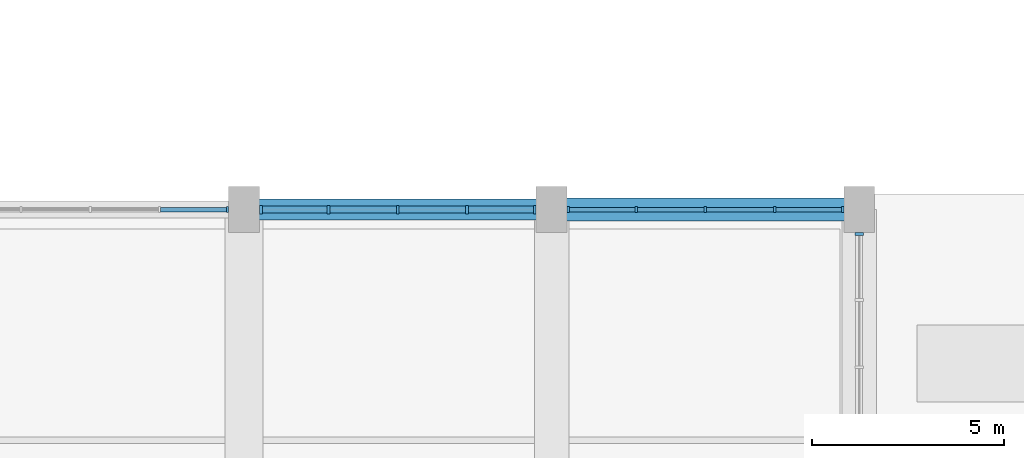
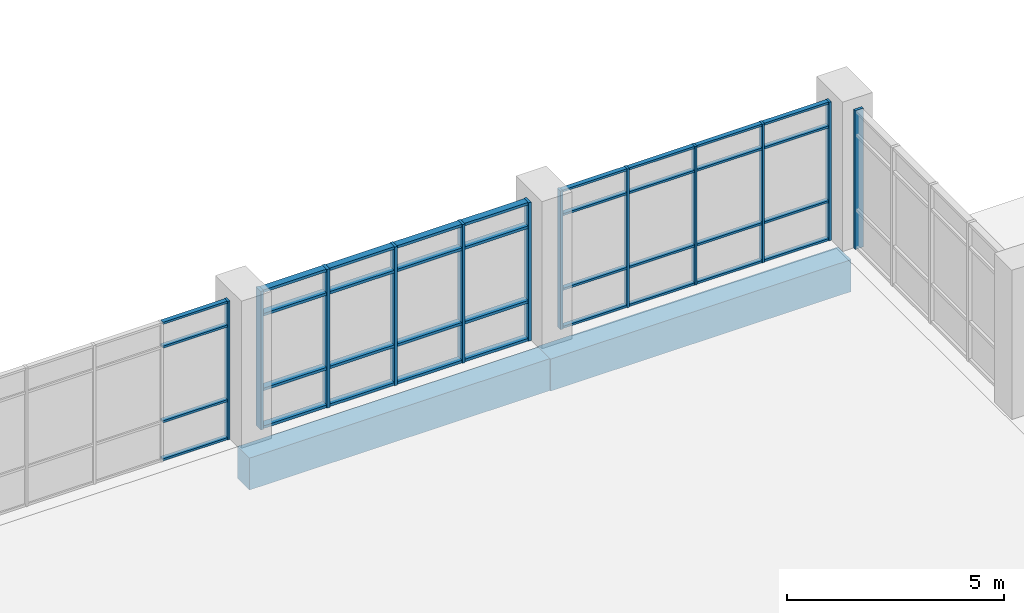
# One storey, part 14 of 84: 48 members, 2 beams, 4 elements without a shape of their own.
"""IFC4 building model written with IfcOpenShell, lengths in metres."""

from ifc_helpers import new_model, si_unit, direction, frame, origin, origin_2d, place, context, subcontext, project, spatial, rectangle, extrude, material, material_profile, profile_set, type_object, element, aggregate, save


model = new_model("IFC4")

# Units and contexts
model_context = context("Model", 3, precision=1e-05, world=origin(), true_north=direction((0.0, 1.0)))
body_context = subcontext(model_context, "Body", "Model", "MODEL_VIEW")
ifc_project = project(units=[si_unit("LENGTHUNIT", "METRE"), si_unit("AREAUNIT", "SQUARE_METRE"), si_unit("VOLUMEUNIT", "CUBIC_METRE"), si_unit("PLANEANGLEUNIT", "RADIAN"), si_unit("MASSUNIT", "GRAM", prefix="KILO")], contexts=[model_context])

# Site, building, storey
site_placement = place(None, origin())
site = spatial("IfcSite", under=ifc_project, at=site_placement, CompositionType="ELEMENT")
building_placement = place(site_placement, origin())
building = spatial("IfcBuilding", under=site, at=building_placement, Name="Tenunan Teduh Sports Hall", CompositionType="ELEMENT")
storey_placement = place(building_placement, frame((0.0, 0.0, 10.800048828125)))
storey = spatial("IfcBuildingStorey", under=building, at=storey_placement, Name="L02", CompositionType="ELEMENT", Elevation=10.800048828125)

# Beams
ifc_material_1 = material(Name="Concrete C40/50", Category="concrete")
ifc_material_profile_1 = material_profile(ifc_material_1, rectangle(XDim=0.550048828125, YDim=0.89990234375, at=origin_2d()), Name="RCB 550x900")
ifc_profile_set_1 = profile_set([ifc_material_profile_1], Name="Concrete C40/50")
beam_type_1 = type_object("IfcBeamType", Name="BM-RC-550x900", PredefinedType="BEAM", material=ifc_profile_set_1)
beam_1_placement = place(storey_placement, frame((38.0, 46.0, -1.0), z_axis=(1.0, 0.0, 0.0), x_axis=(0.0, 1.0, 0.0)))
element("IfcBeam", 1, at=beam_1_placement, inside=storey, type_object=beam_type_1, Name="BM-B-16-L02-1468", PredefinedType="BEAM", context=body_context, shape_type="SweptSolid", body=[
    extrude(rectangle(XDim=0.550048828125, YDim=0.89990234375, at=origin_2d()), origin(), (0.0, 0.0, 1.0), 8.0),
])
ifc_material_2 = material(Name="Concrete C40/50", Category="concrete")
ifc_material_profile_2 = material_profile(ifc_material_2, rectangle(XDim=0.60009765625, YDim=0.89990234375, at=origin_2d()), Name="RCB 600x900")
ifc_profile_set_2 = profile_set([ifc_material_profile_2], Name="Concrete C40/50")
beam_type_2 = type_object("IfcBeamType", Name="BM-RC-600x900", PredefinedType="BEAM", material=ifc_profile_set_2)
beam_2_placement = place(storey_placement, frame((46.0, 46.0, -1.0), z_axis=(1.0, 0.0, 0.0), x_axis=(0.0, 1.0, 0.0)))
element("IfcBeam", 2, at=beam_2_placement, inside=storey, type_object=beam_type_2, Name="BM-B-17-L02-1469", PredefinedType="BEAM", context=body_context, shape_type="SweptSolid", body=[
    extrude(rectangle(XDim=0.60009765625, YDim=0.89990234375, at=origin_2d()), origin(), (0.0, 0.0, 1.0), 8.0),
])

# Curtain wall, member
ifc_material_3 = material(Name="Anodised aluminium", Category="aluminium")
curtain_wall_type = type_object("IfcCurtainWallType", Name="CW-UNIT-2", PredefinedType="NOTDEFINED", material=ifc_material_3)
curtain_wall_1_placement = place(storey_placement, origin())
curtain_wall_1 = element("IfcCurtainWall", 3, at=curtain_wall_1_placement, inside=storey, type_object=curtain_wall_type, Name="CW-CWM-150-L02-063", PredefinedType="NOTDEFINED")
ifc_material_4 = material(Name="Anodised aluminium", Category="aluminium")
ifc_material_profile_3 = material_profile(ifc_material_4, rectangle(XDim=0.06005859375, YDim=0.14990234375, at=origin_2d()), Name="CWM 60x150")
ifc_profile_set_3 = profile_set([ifc_material_profile_3], Name="Anodised aluminium")
member_type_1 = type_object("IfcMemberType", Name="CWM-150", PredefinedType="MULLION", material=ifc_profile_set_3)
member_1_placement = place(storey_placement, frame((37.570068359375, 46.0, 0.0), z_axis=(0.0, 0.0, 1.0), x_axis=(1.0, 0.0, 0.0)))
member_1 = element("IfcMember", 4, at=member_1_placement, type_object=member_type_1, Name="CW-02 mullion 5", PredefinedType="MULLION", context=body_context, shape_type="SweptSolid", body=[
    extrude(rectangle(XDim=0.06005859375, YDim=0.14990234375, at=origin_2d()), origin(), (0.0, 0.0, 1.0), 3.89990234375),
])

# Curtain wall, members
curtain_wall_2_placement = place(storey_placement, origin())
curtain_wall_2 = element("IfcCurtainWall", 5, at=curtain_wall_2_placement, inside=storey, type_object=curtain_wall_type, Name="CW-CWM-150-L02-067", PredefinedType="NOTDEFINED")
member_2_placement = place(storey_placement, frame((46.429931640625, 46.0, 0.0), z_axis=(0.0, 0.0, 1.0), x_axis=(1.0, 0.0, 0.0)))
member_2 = element("IfcMember", 6, at=member_2_placement, type_object=member_type_1, Name="CW-02 mullion 1", PredefinedType="MULLION", context=body_context, shape_type="SweptSolid", body=[
    extrude(rectangle(XDim=0.06005859375, YDim=0.14990234375, at=origin_2d()), origin(), (0.0, 0.0, 1.0), 3.89990234375),
])
member_3_placement = place(storey_placement, frame((48.199951171875, 46.0, 0.0), z_axis=(0.0, 0.0, 1.0), x_axis=(1.0, 0.0, 0.0)))
member_3 = element("IfcMember", 7, at=member_3_placement, type_object=member_type_1, Name="CW-02 mullion 2", PredefinedType="MULLION", context=body_context, shape_type="SweptSolid", body=[
    extrude(rectangle(XDim=0.06005859375, YDim=0.14990234375, at=origin_2d()), origin(), (0.0, 0.0, 1.0), 3.89990234375),
])
member_4_placement = place(storey_placement, frame((50.0, 46.0, 0.0), z_axis=(0.0, 0.0, 1.0), x_axis=(1.0, 0.0, 0.0)))
member_4 = element("IfcMember", 8, at=member_4_placement, type_object=member_type_1, Name="CW-02 mullion 3", PredefinedType="MULLION", context=body_context, shape_type="SweptSolid", body=[
    extrude(rectangle(XDim=0.06005859375, YDim=0.14990234375, at=origin_2d()), origin(), (0.0, 0.0, 1.0), 3.89990234375),
])
member_5_placement = place(storey_placement, frame((51.800048828125, 46.0, 0.0), z_axis=(0.0, 0.0, 1.0), x_axis=(1.0, 0.0, 0.0)))
member_5 = element("IfcMember", 9, at=member_5_placement, type_object=member_type_1, Name="CW-02 mullion 4", PredefinedType="MULLION", context=body_context, shape_type="SweptSolid", body=[
    extrude(rectangle(XDim=0.06005859375, YDim=0.14990234375, at=origin_2d()), origin(), (0.0, 0.0, 1.0), 3.89990234375),
])
member_6_placement = place(storey_placement, frame((53.570068359375, 46.0, 0.0), z_axis=(0.0, 0.0, 1.0), x_axis=(1.0, 0.0, 0.0)))
member_6 = element("IfcMember", 10, at=member_6_placement, type_object=member_type_1, Name="CW-02 mullion 5", PredefinedType="MULLION", context=body_context, shape_type="SweptSolid", body=[
    extrude(rectangle(XDim=0.06005859375, YDim=0.14990234375, at=origin_2d()), origin(), (0.0, 0.0, 1.0), 3.89990234375),
])

curtain_wall_3_placement = place(storey_placement, origin())
curtain_wall_3 = element("IfcCurtainWall", 11, at=curtain_wall_3_placement, inside=storey, type_object=curtain_wall_type, Name="CW-CWM-220-L02-065", PredefinedType="NOTDEFINED")
ifc_material_5 = material(Name="Anodised aluminium", Category="aluminium")
ifc_material_profile_4 = material_profile(ifc_material_5, rectangle(XDim=0.074951171875, YDim=0.219970703125, at=origin_2d()), Name="CWM 75x220")
ifc_profile_set_4 = profile_set([ifc_material_profile_4], Name="Anodised aluminium")
member_type_2 = type_object("IfcMemberType", Name="CWM-220", PredefinedType="MULLION", material=ifc_profile_set_4)
member_7_placement = place(storey_placement, frame((38.4375, 46.0, 0.0), z_axis=(0.0, 0.0, 1.0), x_axis=(1.0, 0.0, 0.0)))
member_7 = element("IfcMember", 12, at=member_7_placement, type_object=member_type_2, Name="CW-02 mullion 1", PredefinedType="MULLION", context=body_context, shape_type="SweptSolid", body=[
    extrude(rectangle(XDim=0.074951171875, YDim=0.219970703125, at=origin_2d()), origin(), (0.0, 0.0, 1.0), 3.89990234375),
])
member_8_placement = place(storey_placement, frame((40.199951171875, 46.0, 0.0), z_axis=(0.0, 0.0, 1.0), x_axis=(1.0, 0.0, 0.0)))
member_8 = element("IfcMember", 13, at=member_8_placement, type_object=member_type_2, Name="CW-02 mullion 2", PredefinedType="MULLION", context=body_context, shape_type="SweptSolid", body=[
    extrude(rectangle(XDim=0.074951171875, YDim=0.219970703125, at=origin_2d()), origin(), (0.0, 0.0, 1.0), 3.89990234375),
])
member_9_placement = place(storey_placement, frame((42.0, 46.0, 0.0), z_axis=(0.0, 0.0, 1.0), x_axis=(1.0, 0.0, 0.0)))
member_9 = element("IfcMember", 14, at=member_9_placement, type_object=member_type_2, Name="CW-02 mullion 3", PredefinedType="MULLION", context=body_context, shape_type="SweptSolid", body=[
    extrude(rectangle(XDim=0.074951171875, YDim=0.219970703125, at=origin_2d()), origin(), (0.0, 0.0, 1.0), 3.89990234375),
])
member_10_placement = place(storey_placement, frame((43.800048828125, 46.0, 0.0), z_axis=(0.0, 0.0, 1.0), x_axis=(1.0, 0.0, 0.0)))
member_10 = element("IfcMember", 15, at=member_10_placement, type_object=member_type_2, Name="CW-02 mullion 4", PredefinedType="MULLION", context=body_context, shape_type="SweptSolid", body=[
    extrude(rectangle(XDim=0.074951171875, YDim=0.219970703125, at=origin_2d()), origin(), (0.0, 0.0, 1.0), 3.89990234375),
])
member_11_placement = place(storey_placement, frame((45.5625, 46.0, 0.0), z_axis=(0.0, 0.0, 1.0), x_axis=(1.0, 0.0, 0.0)))
member_11 = element("IfcMember", 16, at=member_11_placement, type_object=member_type_2, Name="CW-02 mullion 5", PredefinedType="MULLION", context=body_context, shape_type="SweptSolid", body=[
    extrude(rectangle(XDim=0.074951171875, YDim=0.219970703125, at=origin_2d()), origin(), (0.0, 0.0, 1.0), 3.89990234375),
])

# Curtain wall, member
curtain_wall_4_placement = place(storey_placement, origin())
curtain_wall_4 = element("IfcCurtainWall", 17, at=curtain_wall_4_placement, inside=storey, type_object=curtain_wall_type, Name="CW-CWM-220-L02-073", PredefinedType="NOTDEFINED")
member_12_placement = place(storey_placement, frame((54.0, 45.362548828125, 0.0), z_axis=(0.0, 0.0, 1.0), x_axis=(0.0, 1.0, 0.0)))
member_12 = element("IfcMember", 18, at=member_12_placement, type_object=member_type_2, Name="CW-02 mullion 5", PredefinedType="MULLION", context=body_context, shape_type="SweptSolid", body=[
    extrude(rectangle(XDim=0.074951171875, YDim=0.219970703125, at=origin_2d()), origin(), (0.0, 0.0, 1.0), 3.89990234375),
])
aggregate(curtain_wall_4, [member_12])

# Member
ifc_material_6 = material(Name="Anodised aluminium", Category="aluminium")
ifc_material_profile_5 = material_profile(ifc_material_6, rectangle(XDim=0.06005859375, YDim=0.1201171875, at=origin_2d()), Name="CWT 60x120")
ifc_profile_set_5 = profile_set([ifc_material_profile_5], Name="Anodised aluminium")
member_type_3 = type_object("IfcMemberType", Name="CWT-125", PredefinedType="USERDEFINED", material=ifc_profile_set_5)
member_13_placement = place(storey_placement, frame((35.830078125, 46.0, 0.030029296875), z_axis=(1.0, 0.0, 0.0), x_axis=(0.0, 0.0, 1.0)))
member_13 = element("IfcMember", 19, at=member_13_placement, type_object=member_type_3, Name="CW-02 transom 4.1", ObjectType="TRANSOM", PredefinedType="USERDEFINED", context=body_context, shape_type="SweptSolid", body=[
    extrude(rectangle(XDim=0.06005859375, YDim=0.1201171875, at=origin_2d()), origin(), (0.0, 0.0, 1.0), 1.7099609375),
])

member_14_placement = place(storey_placement, frame((35.830078125, 46.0, 1.099853515625), z_axis=(1.0, 0.0, 0.0), x_axis=(0.0, 0.0, 1.0)))
member_14 = element("IfcMember", 20, at=member_14_placement, type_object=member_type_3, Name="CW-02 transom 4.2", ObjectType="TRANSOM", PredefinedType="USERDEFINED", context=body_context, shape_type="SweptSolid", body=[
    extrude(rectangle(XDim=0.06005859375, YDim=0.1201171875, at=origin_2d()), origin(), (0.0, 0.0, 1.0), 1.7099609375),
])

member_15_placement = place(storey_placement, frame((35.830078125, 46.0, 3.199951171875), z_axis=(1.0, 0.0, 0.0), x_axis=(0.0, 0.0, 1.0)))
member_15 = element("IfcMember", 21, at=member_15_placement, type_object=member_type_3, Name="CW-02 transom 4.3", ObjectType="TRANSOM", PredefinedType="USERDEFINED", context=body_context, shape_type="SweptSolid", body=[
    extrude(rectangle(XDim=0.06005859375, YDim=0.1201171875, at=origin_2d()), origin(), (0.0, 0.0, 1.0), 1.7099609375),
])

member_16_placement = place(storey_placement, frame((35.830078125, 46.0, 3.869873046875), z_axis=(1.0, 0.0, 0.0), x_axis=(0.0, 0.0, 1.0)))
member_16 = element("IfcMember", 22, at=member_16_placement, type_object=member_type_3, Name="CW-02 transom 4.4", ObjectType="TRANSOM", PredefinedType="USERDEFINED", context=body_context, shape_type="SweptSolid", body=[
    extrude(rectangle(XDim=0.06005859375, YDim=0.1201171875, at=origin_2d()), origin(), (0.0, 0.0, 1.0), 1.7099609375),
])

aggregate(curtain_wall_1, [member_1, member_13, member_14, member_15, member_16])

member_17_placement = place(storey_placement, frame((46.4599609375, 46.0, 0.030029296875), z_axis=(1.0, 0.0, 0.0), x_axis=(0.0, 0.0, 1.0)))
member_17 = element("IfcMember", 23, at=member_17_placement, type_object=member_type_3, Name="CW-02 transom 1.1", ObjectType="TRANSOM", PredefinedType="USERDEFINED", context=body_context, shape_type="SweptSolid", body=[
    extrude(rectangle(XDim=0.06005859375, YDim=0.1201171875, at=origin_2d()), origin(), (0.0, 0.0, 1.0), 1.7099609375),
])

member_18_placement = place(storey_placement, frame((46.4599609375, 46.0, 1.099853515625), z_axis=(1.0, 0.0, 0.0), x_axis=(0.0, 0.0, 1.0)))
member_18 = element("IfcMember", 24, at=member_18_placement, type_object=member_type_3, Name="CW-02 transom 1.2", ObjectType="TRANSOM", PredefinedType="USERDEFINED", context=body_context, shape_type="SweptSolid", body=[
    extrude(rectangle(XDim=0.06005859375, YDim=0.1201171875, at=origin_2d()), origin(), (0.0, 0.0, 1.0), 1.7099609375),
])

member_19_placement = place(storey_placement, frame((46.4599609375, 46.0, 3.199951171875), z_axis=(1.0, 0.0, 0.0), x_axis=(0.0, 0.0, 1.0)))
member_19 = element("IfcMember", 25, at=member_19_placement, type_object=member_type_3, Name="CW-02 transom 1.3", ObjectType="TRANSOM", PredefinedType="USERDEFINED", context=body_context, shape_type="SweptSolid", body=[
    extrude(rectangle(XDim=0.06005859375, YDim=0.1201171875, at=origin_2d()), origin(), (0.0, 0.0, 1.0), 1.7099609375),
])

member_20_placement = place(storey_placement, frame((46.4599609375, 46.0, 3.869873046875), z_axis=(1.0, 0.0, 0.0), x_axis=(0.0, 0.0, 1.0)))
member_20 = element("IfcMember", 26, at=member_20_placement, type_object=member_type_3, Name="CW-02 transom 1.4", ObjectType="TRANSOM", PredefinedType="USERDEFINED", context=body_context, shape_type="SweptSolid", body=[
    extrude(rectangle(XDim=0.06005859375, YDim=0.1201171875, at=origin_2d()), origin(), (0.0, 0.0, 1.0), 1.7099609375),
])

member_21_placement = place(storey_placement, frame((48.22998046875, 46.0, 0.030029296875), z_axis=(1.0, 0.0, 0.0), x_axis=(0.0, 0.0, 1.0)))
member_21 = element("IfcMember", 27, at=member_21_placement, type_object=member_type_3, Name="CW-02 transom 2.1", ObjectType="TRANSOM", PredefinedType="USERDEFINED", context=body_context, shape_type="SweptSolid", body=[
    extrude(rectangle(XDim=0.06005859375, YDim=0.1201171875, at=origin_2d()), origin(), (0.0, 0.0, 1.0), 1.739990234375),
])

member_22_placement = place(storey_placement, frame((48.22998046875, 46.0, 1.099853515625), z_axis=(1.0, 0.0, 0.0), x_axis=(0.0, 0.0, 1.0)))
member_22 = element("IfcMember", 28, at=member_22_placement, type_object=member_type_3, Name="CW-02 transom 2.2", ObjectType="TRANSOM", PredefinedType="USERDEFINED", context=body_context, shape_type="SweptSolid", body=[
    extrude(rectangle(XDim=0.06005859375, YDim=0.1201171875, at=origin_2d()), origin(), (0.0, 0.0, 1.0), 1.739990234375),
])

member_23_placement = place(storey_placement, frame((48.22998046875, 46.0, 3.199951171875), z_axis=(1.0, 0.0, 0.0), x_axis=(0.0, 0.0, 1.0)))
member_23 = element("IfcMember", 29, at=member_23_placement, type_object=member_type_3, Name="CW-02 transom 2.3", ObjectType="TRANSOM", PredefinedType="USERDEFINED", context=body_context, shape_type="SweptSolid", body=[
    extrude(rectangle(XDim=0.06005859375, YDim=0.1201171875, at=origin_2d()), origin(), (0.0, 0.0, 1.0), 1.739990234375),
])

member_24_placement = place(storey_placement, frame((48.22998046875, 46.0, 3.869873046875), z_axis=(1.0, 0.0, 0.0), x_axis=(0.0, 0.0, 1.0)))
member_24 = element("IfcMember", 30, at=member_24_placement, type_object=member_type_3, Name="CW-02 transom 2.4", ObjectType="TRANSOM", PredefinedType="USERDEFINED", context=body_context, shape_type="SweptSolid", body=[
    extrude(rectangle(XDim=0.06005859375, YDim=0.1201171875, at=origin_2d()), origin(), (0.0, 0.0, 1.0), 1.739990234375),
])

member_25_placement = place(storey_placement, frame((50.030029296875, 46.0, 0.030029296875), z_axis=(1.0, 0.0, 0.0), x_axis=(0.0, 0.0, 1.0)))
member_25 = element("IfcMember", 31, at=member_25_placement, type_object=member_type_3, Name="CW-02 transom 3.1", ObjectType="TRANSOM", PredefinedType="USERDEFINED", context=body_context, shape_type="SweptSolid", body=[
    extrude(rectangle(XDim=0.06005859375, YDim=0.1201171875, at=origin_2d()), origin(), (0.0, 0.0, 1.0), 1.739990234375),
])

member_26_placement = place(storey_placement, frame((50.030029296875, 46.0, 1.099853515625), z_axis=(1.0, 0.0, 0.0), x_axis=(0.0, 0.0, 1.0)))
member_26 = element("IfcMember", 32, at=member_26_placement, type_object=member_type_3, Name="CW-02 transom 3.2", ObjectType="TRANSOM", PredefinedType="USERDEFINED", context=body_context, shape_type="SweptSolid", body=[
    extrude(rectangle(XDim=0.06005859375, YDim=0.1201171875, at=origin_2d()), origin(), (0.0, 0.0, 1.0), 1.739990234375),
])

member_27_placement = place(storey_placement, frame((50.030029296875, 46.0, 3.199951171875), z_axis=(1.0, 0.0, 0.0), x_axis=(0.0, 0.0, 1.0)))
member_27 = element("IfcMember", 33, at=member_27_placement, type_object=member_type_3, Name="CW-02 transom 3.3", ObjectType="TRANSOM", PredefinedType="USERDEFINED", context=body_context, shape_type="SweptSolid", body=[
    extrude(rectangle(XDim=0.06005859375, YDim=0.1201171875, at=origin_2d()), origin(), (0.0, 0.0, 1.0), 1.739990234375),
])

member_28_placement = place(storey_placement, frame((50.030029296875, 46.0, 3.869873046875), z_axis=(1.0, 0.0, 0.0), x_axis=(0.0, 0.0, 1.0)))
member_28 = element("IfcMember", 34, at=member_28_placement, type_object=member_type_3, Name="CW-02 transom 3.4", ObjectType="TRANSOM", PredefinedType="USERDEFINED", context=body_context, shape_type="SweptSolid", body=[
    extrude(rectangle(XDim=0.06005859375, YDim=0.1201171875, at=origin_2d()), origin(), (0.0, 0.0, 1.0), 1.739990234375),
])

member_29_placement = place(storey_placement, frame((51.830078125, 46.0, 0.030029296875), z_axis=(1.0, 0.0, 0.0), x_axis=(0.0, 0.0, 1.0)))
member_29 = element("IfcMember", 35, at=member_29_placement, type_object=member_type_3, Name="CW-02 transom 4.1", ObjectType="TRANSOM", PredefinedType="USERDEFINED", context=body_context, shape_type="SweptSolid", body=[
    extrude(rectangle(XDim=0.06005859375, YDim=0.1201171875, at=origin_2d()), origin(), (0.0, 0.0, 1.0), 1.7099609375),
])

member_30_placement = place(storey_placement, frame((51.830078125, 46.0, 1.099853515625), z_axis=(1.0, 0.0, 0.0), x_axis=(0.0, 0.0, 1.0)))
member_30 = element("IfcMember", 36, at=member_30_placement, type_object=member_type_3, Name="CW-02 transom 4.2", ObjectType="TRANSOM", PredefinedType="USERDEFINED", context=body_context, shape_type="SweptSolid", body=[
    extrude(rectangle(XDim=0.06005859375, YDim=0.1201171875, at=origin_2d()), origin(), (0.0, 0.0, 1.0), 1.7099609375),
])

member_31_placement = place(storey_placement, frame((51.830078125, 46.0, 3.199951171875), z_axis=(1.0, 0.0, 0.0), x_axis=(0.0, 0.0, 1.0)))
member_31 = element("IfcMember", 37, at=member_31_placement, type_object=member_type_3, Name="CW-02 transom 4.3", ObjectType="TRANSOM", PredefinedType="USERDEFINED", context=body_context, shape_type="SweptSolid", body=[
    extrude(rectangle(XDim=0.06005859375, YDim=0.1201171875, at=origin_2d()), origin(), (0.0, 0.0, 1.0), 1.7099609375),
])

member_32_placement = place(storey_placement, frame((51.830078125, 46.0, 3.869873046875), z_axis=(1.0, 0.0, 0.0), x_axis=(0.0, 0.0, 1.0)))
member_32 = element("IfcMember", 38, at=member_32_placement, type_object=member_type_3, Name="CW-02 transom 4.4", ObjectType="TRANSOM", PredefinedType="USERDEFINED", context=body_context, shape_type="SweptSolid", body=[
    extrude(rectangle(XDim=0.06005859375, YDim=0.1201171875, at=origin_2d()), origin(), (0.0, 0.0, 1.0), 1.7099609375),
])

aggregate(curtain_wall_2, [member_2, member_3, member_4, member_5, member_6, member_17, member_18, member_19, member_20, member_21, member_22, member_23, member_24, member_25, member_26, member_27, member_28, member_29, member_30, member_31, member_32])

ifc_material_7 = material(Name="Anodised aluminium", Category="aluminium")
ifc_material_profile_6 = material_profile(ifc_material_7, rectangle(XDim=0.074951171875, YDim=0.179931640625, at=origin_2d()), Name="CWT 75x180")
ifc_profile_set_6 = profile_set([ifc_material_profile_6], Name="Anodised aluminium")
member_type_4 = type_object("IfcMemberType", Name="CWT-180", PredefinedType="USERDEFINED", material=ifc_profile_set_6)
member_33_placement = place(storey_placement, frame((38.47509765625, 46.0, 0.037353515625), z_axis=(1.0, 0.0, 0.0), x_axis=(0.0, 0.0, 1.0)))
member_33 = element("IfcMember", 39, at=member_33_placement, type_object=member_type_4, Name="CW-02 transom 1.1", ObjectType="TRANSOM", PredefinedType="USERDEFINED", context=body_context, shape_type="SweptSolid", body=[
    extrude(rectangle(XDim=0.074951171875, YDim=0.179931640625, at=origin_2d()), origin(), (0.0, 0.0, 1.0), 1.6875),
])

member_34_placement = place(storey_placement, frame((38.47509765625, 46.0, 1.099853515625), z_axis=(1.0, 0.0, 0.0), x_axis=(0.0, 0.0, 1.0)))
member_34 = element("IfcMember", 40, at=member_34_placement, type_object=member_type_4, Name="CW-02 transom 1.2", ObjectType="TRANSOM", PredefinedType="USERDEFINED", context=body_context, shape_type="SweptSolid", body=[
    extrude(rectangle(XDim=0.074951171875, YDim=0.179931640625, at=origin_2d()), origin(), (0.0, 0.0, 1.0), 1.6875),
])

member_35_placement = place(storey_placement, frame((38.47509765625, 46.0, 3.199951171875), z_axis=(1.0, 0.0, 0.0), x_axis=(0.0, 0.0, 1.0)))
member_35 = element("IfcMember", 41, at=member_35_placement, type_object=member_type_4, Name="CW-02 transom 1.3", ObjectType="TRANSOM", PredefinedType="USERDEFINED", context=body_context, shape_type="SweptSolid", body=[
    extrude(rectangle(XDim=0.074951171875, YDim=0.179931640625, at=origin_2d()), origin(), (0.0, 0.0, 1.0), 1.6875),
])

member_36_placement = place(storey_placement, frame((38.47509765625, 46.0, 3.862548828125), z_axis=(1.0, 0.0, 0.0), x_axis=(0.0, 0.0, 1.0)))
member_36 = element("IfcMember", 42, at=member_36_placement, type_object=member_type_4, Name="CW-02 transom 1.4", ObjectType="TRANSOM", PredefinedType="USERDEFINED", context=body_context, shape_type="SweptSolid", body=[
    extrude(rectangle(XDim=0.074951171875, YDim=0.179931640625, at=origin_2d()), origin(), (0.0, 0.0, 1.0), 1.6875),
])

member_37_placement = place(storey_placement, frame((40.237548828125, 46.0, 0.037353515625), z_axis=(1.0, 0.0, 0.0), x_axis=(0.0, 0.0, 1.0)))
member_37 = element("IfcMember", 43, at=member_37_placement, type_object=member_type_4, Name="CW-02 transom 2.1", ObjectType="TRANSOM", PredefinedType="USERDEFINED", context=body_context, shape_type="SweptSolid", body=[
    extrude(rectangle(XDim=0.074951171875, YDim=0.179931640625, at=origin_2d()), origin(), (0.0, 0.0, 1.0), 1.724853515625),
])

member_38_placement = place(storey_placement, frame((40.237548828125, 46.0, 1.099853515625), z_axis=(1.0, 0.0, 0.0), x_axis=(0.0, 0.0, 1.0)))
member_38 = element("IfcMember", 44, at=member_38_placement, type_object=member_type_4, Name="CW-02 transom 2.2", ObjectType="TRANSOM", PredefinedType="USERDEFINED", context=body_context, shape_type="SweptSolid", body=[
    extrude(rectangle(XDim=0.074951171875, YDim=0.179931640625, at=origin_2d()), origin(), (0.0, 0.0, 1.0), 1.724853515625),
])

member_39_placement = place(storey_placement, frame((40.237548828125, 46.0, 3.199951171875), z_axis=(1.0, 0.0, 0.0), x_axis=(0.0, 0.0, 1.0)))
member_39 = element("IfcMember", 45, at=member_39_placement, type_object=member_type_4, Name="CW-02 transom 2.3", ObjectType="TRANSOM", PredefinedType="USERDEFINED", context=body_context, shape_type="SweptSolid", body=[
    extrude(rectangle(XDim=0.074951171875, YDim=0.179931640625, at=origin_2d()), origin(), (0.0, 0.0, 1.0), 1.724853515625),
])

member_40_placement = place(storey_placement, frame((40.237548828125, 46.0, 3.862548828125), z_axis=(1.0, 0.0, 0.0), x_axis=(0.0, 0.0, 1.0)))
member_40 = element("IfcMember", 46, at=member_40_placement, type_object=member_type_4, Name="CW-02 transom 2.4", ObjectType="TRANSOM", PredefinedType="USERDEFINED", context=body_context, shape_type="SweptSolid", body=[
    extrude(rectangle(XDim=0.074951171875, YDim=0.179931640625, at=origin_2d()), origin(), (0.0, 0.0, 1.0), 1.724853515625),
])

member_41_placement = place(storey_placement, frame((42.03759765625, 46.0, 0.037353515625), z_axis=(1.0, 0.0, 0.0), x_axis=(0.0, 0.0, 1.0)))
member_41 = element("IfcMember", 47, at=member_41_placement, type_object=member_type_4, Name="CW-02 transom 3.1", ObjectType="TRANSOM", PredefinedType="USERDEFINED", context=body_context, shape_type="SweptSolid", body=[
    extrude(rectangle(XDim=0.074951171875, YDim=0.179931640625, at=origin_2d()), origin(), (0.0, 0.0, 1.0), 1.724853515625),
])

member_42_placement = place(storey_placement, frame((42.03759765625, 46.0, 1.099853515625), z_axis=(1.0, 0.0, 0.0), x_axis=(0.0, 0.0, 1.0)))
member_42 = element("IfcMember", 48, at=member_42_placement, type_object=member_type_4, Name="CW-02 transom 3.2", ObjectType="TRANSOM", PredefinedType="USERDEFINED", context=body_context, shape_type="SweptSolid", body=[
    extrude(rectangle(XDim=0.074951171875, YDim=0.179931640625, at=origin_2d()), origin(), (0.0, 0.0, 1.0), 1.724853515625),
])

member_43_placement = place(storey_placement, frame((42.03759765625, 46.0, 3.199951171875), z_axis=(1.0, 0.0, 0.0), x_axis=(0.0, 0.0, 1.0)))
member_43 = element("IfcMember", 49, at=member_43_placement, type_object=member_type_4, Name="CW-02 transom 3.3", ObjectType="TRANSOM", PredefinedType="USERDEFINED", context=body_context, shape_type="SweptSolid", body=[
    extrude(rectangle(XDim=0.074951171875, YDim=0.179931640625, at=origin_2d()), origin(), (0.0, 0.0, 1.0), 1.724853515625),
])

member_44_placement = place(storey_placement, frame((42.03759765625, 46.0, 3.862548828125), z_axis=(1.0, 0.0, 0.0), x_axis=(0.0, 0.0, 1.0)))
member_44 = element("IfcMember", 50, at=member_44_placement, type_object=member_type_4, Name="CW-02 transom 3.4", ObjectType="TRANSOM", PredefinedType="USERDEFINED", context=body_context, shape_type="SweptSolid", body=[
    extrude(rectangle(XDim=0.074951171875, YDim=0.179931640625, at=origin_2d()), origin(), (0.0, 0.0, 1.0), 1.724853515625),
])

member_45_placement = place(storey_placement, frame((43.83740234375, 46.0, 0.037353515625), z_axis=(1.0, 0.0, 0.0), x_axis=(0.0, 0.0, 1.0)))
member_45 = element("IfcMember", 51, at=member_45_placement, type_object=member_type_4, Name="CW-02 transom 4.1", ObjectType="TRANSOM", PredefinedType="USERDEFINED", context=body_context, shape_type="SweptSolid", body=[
    extrude(rectangle(XDim=0.074951171875, YDim=0.179931640625, at=origin_2d()), origin(), (0.0, 0.0, 1.0), 1.6875),
])

member_46_placement = place(storey_placement, frame((43.83740234375, 46.0, 1.099853515625), z_axis=(1.0, 0.0, 0.0), x_axis=(0.0, 0.0, 1.0)))
member_46 = element("IfcMember", 52, at=member_46_placement, type_object=member_type_4, Name="CW-02 transom 4.2", ObjectType="TRANSOM", PredefinedType="USERDEFINED", context=body_context, shape_type="SweptSolid", body=[
    extrude(rectangle(XDim=0.074951171875, YDim=0.179931640625, at=origin_2d()), origin(), (0.0, 0.0, 1.0), 1.6875),
])

member_47_placement = place(storey_placement, frame((43.83740234375, 46.0, 3.199951171875), z_axis=(1.0, 0.0, 0.0), x_axis=(0.0, 0.0, 1.0)))
member_47 = element("IfcMember", 53, at=member_47_placement, type_object=member_type_4, Name="CW-02 transom 4.3", ObjectType="TRANSOM", PredefinedType="USERDEFINED", context=body_context, shape_type="SweptSolid", body=[
    extrude(rectangle(XDim=0.074951171875, YDim=0.179931640625, at=origin_2d()), origin(), (0.0, 0.0, 1.0), 1.6875),
])

member_48_placement = place(storey_placement, frame((43.83740234375, 46.0, 3.862548828125), z_axis=(1.0, 0.0, 0.0), x_axis=(0.0, 0.0, 1.0)))
member_48 = element("IfcMember", 54, at=member_48_placement, type_object=member_type_4, Name="CW-02 transom 4.4", ObjectType="TRANSOM", PredefinedType="USERDEFINED", context=body_context, shape_type="SweptSolid", body=[
    extrude(rectangle(XDim=0.074951171875, YDim=0.179931640625, at=origin_2d()), origin(), (0.0, 0.0, 1.0), 1.6875),
])

aggregate(curtain_wall_3, [member_7, member_8, member_9, member_10, member_11, member_33, member_34, member_35, member_36, member_37, member_38, member_39, member_40, member_41, member_42, member_43, member_44, member_45, member_46, member_47, member_48])

save(model, "model.ifc")
